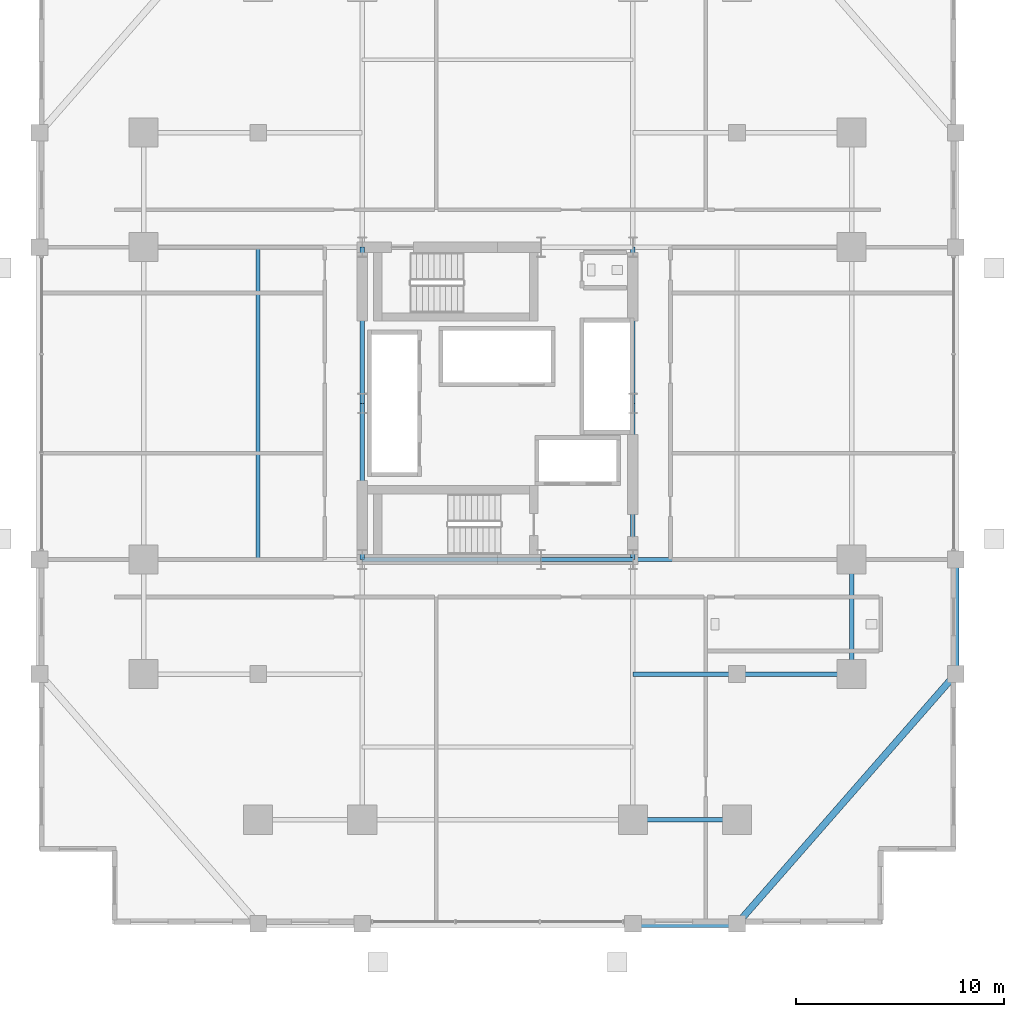
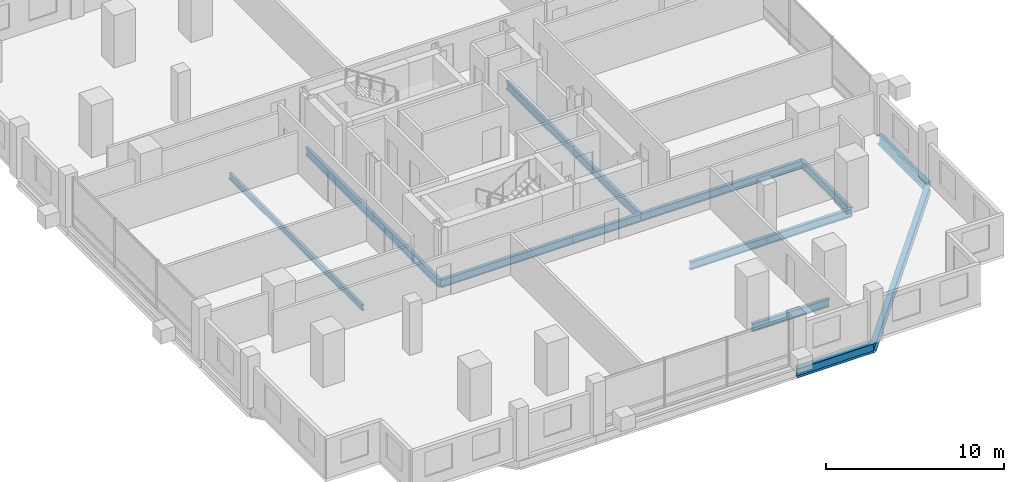
# One storey, part 7 of 21: 15 beams.
"""IFC4 building model written with IfcOpenShell, lengths in metres."""

from ifc_helpers import new_model, si_unit, direction, frame, origin, origin_2d, place, context, subcontext, project, spatial, i_section, extrude, material, material_profile, profile_set, type_object, element, save


model = new_model("IFC4")

# Units and contexts
model_context = context("Model", 3, precision=1e-05, world=origin(), true_north=direction((0.0, 1.0)))
body_context = subcontext(model_context, "Body", "Model", "MODEL_VIEW")
ifc_project = project(units=[si_unit("LENGTHUNIT", "METRE"), si_unit("AREAUNIT", "SQUARE_METRE"), si_unit("VOLUMEUNIT", "CUBIC_METRE"), si_unit("PLANEANGLEUNIT", "RADIAN"), si_unit("MASSUNIT", "GRAM", prefix="KILO")], contexts=[model_context])

# Site, building, storey
site_placement = place(None, origin())
site = spatial("IfcSite", under=ifc_project, at=site_placement, CompositionType="ELEMENT")
building_placement = place(site_placement, origin())
building = spatial("IfcBuilding", under=site, at=building_placement, Name="Barlavira Tower and Art Museum", CompositionType="ELEMENT")
storey_placement = place(building_placement, frame((0.0, 0.0, 86.39990234375)))
storey = spatial("IfcBuildingStorey", under=building, at=storey_placement, Name="L21", CompositionType="ELEMENT", Elevation=86.39990234375)

# Beams
ifc_material = material(Name="Steel S355", Category="steel")
ifc_material_profile_1 = material_profile(ifc_material, i_section(OverallWidth=0.327880859375, OverallDepth=0.62890625, WebThickness=0.013916015625, FlangeThickness=0.021484375, at=origin_2d()), Name="W610x174.0")
ifc_profile_set_1 = profile_set([ifc_material_profile_1], Name="Steel S355")
beam_type_1 = type_object("IfcBeamType", Name="Perimeter Spandrel Edge Beam W610x174 Steel S355", PredefinedType="SPANDREL", material=ifc_profile_set_1)
beam_1_placement = place(storey_placement, frame((6.5, -25.0, -0.534423828125), z_axis=(1.0, 0.0, 0.0), x_axis=(0.0, 1.0, 0.0)))
element("IfcBeam", 1, at=beam_1_placement, inside=storey, type_object=beam_type_1, Name="L21 Spandrel 3", PredefinedType="SPANDREL", context=body_context, shape_type="SweptSolid", body=[
    extrude(i_section(OverallWidth=0.327880859375, OverallDepth=0.62890625, WebThickness=0.013916015625, FlangeThickness=0.021484375, at=origin_2d()), origin(), (0.0, 0.0, 1.0), 5.0),
])
beam_2_placement = place(storey_placement, frame((11.5, -25.0, -0.534423828125), z_axis=(0.658504607869, 0.752576694707, 0.0), x_axis=(-0.752576694707, 0.658504607869, 0.0)))
element("IfcBeam", 2, at=beam_2_placement, inside=storey, type_object=beam_type_1, Name="L21 Spandrel 4", PredefinedType="SPANDREL", context=body_context, shape_type="SweptSolid", body=[
    extrude(i_section(OverallWidth=0.327880859375, OverallDepth=0.62890625, WebThickness=0.013916015625, FlangeThickness=0.021484375, at=origin_2d()), origin(), (0.0, 0.0, 1.0), 15.9453125),
])
beam_3_placement = place(storey_placement, frame((22.0, -13.0, -0.534423828125), z_axis=(0.0, 1.0, 0.0), x_axis=(-1.0, 0.0, 0.0)))
element("IfcBeam", 3, at=beam_3_placement, inside=storey, type_object=beam_type_1, Name="L21 Spandrel 5", PredefinedType="SPANDREL", context=body_context, shape_type="SweptSolid", body=[
    extrude(i_section(OverallWidth=0.327880859375, OverallDepth=0.62890625, WebThickness=0.013916015625, FlangeThickness=0.021484375, at=origin_2d()), origin(), (0.0, 0.0, 1.0), 5.5),
])
ifc_material_profile_2 = material_profile(ifc_material, i_section(OverallWidth=0.180908203125, OverallDepth=0.4169921875, WebThickness=0.010986328125, FlangeThickness=0.018310546875, at=origin_2d()), Name="W410x85.0")
ifc_profile_set_2 = profile_set([ifc_material_profile_2], Name="Steel S355")
beam_type_2 = type_object("IfcBeamType", Name="Zone 1 Composite Floor Joist W410x85 Steel S355", PredefinedType="JOIST", material=ifc_profile_set_2)
beam_4_placement = place(storey_placement, frame((-11.5, -7.5, -0.428466796875), z_axis=(0.0, 1.0, 0.0), x_axis=(-1.0, 0.0, 0.0)))
element("IfcBeam", 4, at=beam_4_placement, inside=storey, type_object=beam_type_2, Name="L21 Joist W1", PredefinedType="JOIST", context=body_context, shape_type="SweptSolid", body=[
    extrude(i_section(OverallWidth=0.180908203125, OverallDepth=0.4169921875, WebThickness=0.010986328125, FlangeThickness=0.018310546875, at=origin_2d()), origin(), (0.0, 0.0, 1.0), 15.0),
])
ifc_material_profile_3 = material_profile(ifc_material, i_section(OverallWidth=0.214111328125, OverallDepth=0.549072265625, WebThickness=0.0146484375, FlangeThickness=0.023681640625, at=origin_2d()), Name="W530x138.0")
ifc_profile_set_3 = profile_set([ifc_material_profile_3], Name="Steel S355")
beam_type_3 = type_object("IfcBeamType", Name="Zone 1 Primary Floor Girder W530x138 Steel S355", PredefinedType="BEAM", material=ifc_profile_set_3)
beam_5_placement = place(storey_placement, frame((-6.5, -7.5, -0.494384765625), z_axis=(1.0, 0.0, 0.0), x_axis=(0.0, 1.0, 0.0)))
element("IfcBeam", 5, at=beam_5_placement, inside=storey, type_object=beam_type_3, Name="L21 Girder C-S1", PredefinedType="BEAM", context=body_context, shape_type="SweptSolid", body=[
    extrude(i_section(OverallWidth=0.214111328125, OverallDepth=0.549072265625, WebThickness=0.0146484375, FlangeThickness=0.023681640625, at=origin_2d()), origin(), (0.0, 0.0, 1.0), 8.580078125),
])
beam_6_placement = place(storey_placement, frame((2.080078125, -7.5, -0.494384765625), z_axis=(1.0, 0.0, 0.0), x_axis=(0.0, 1.0, 0.0)))
element("IfcBeam", 6, at=beam_6_placement, inside=storey, type_object=beam_type_3, Name="L21 Girder C-S2", PredefinedType="BEAM", context=body_context, shape_type="SweptSolid", body=[
    extrude(i_section(OverallWidth=0.214111328125, OverallDepth=0.549072265625, WebThickness=0.0146484375, FlangeThickness=0.023681640625, at=origin_2d()), origin(), (0.0, 0.0, 1.0), 4.419921875),
])
for number, where, z_axis, x_axis, name in (
    (7, (-6.5, -7.5, -0.494384765625), (0.0, 1.0, 0.0), (-1.0, 0.0, 0.0), "L21 Girder C-W1"),
    (8, (-6.5, 0.0, -0.494384765625), (0.0, 1.0, 0.0), (-1.0, 0.0, 0.0), "L21 Girder C-W2"),
    (9, (6.5, -7.5, -0.494384765625), (0.0, 1.0, 0.0), (-1.0, 0.0, 0.0), "L21 Girder C-E1"),
    (10, (6.5, 0.0, -0.494384765625), (0.0, 1.0, 0.0), (-1.0, 0.0, 0.0), "L21 Girder C-E2"),
):
    element("IfcBeam", number, at=place(storey_placement, frame(where, z_axis=z_axis, x_axis=x_axis)), inside=storey, type_object=beam_type_3, Name=name, PredefinedType="BEAM", context=body_context, shape_type="SweptSolid", body=[
        extrude(i_section(OverallWidth=0.214111328125, OverallDepth=0.549072265625, WebThickness=0.0146484375, FlangeThickness=0.023681640625, at=origin_2d()), origin(), (0.0, 0.0, 1.0), 7.5),
    ])
beam_7_placement = place(storey_placement, frame((6.5, -20.0, -0.494384765625), z_axis=(1.0, 0.0, 0.0), x_axis=(0.0, 1.0, 0.0)))
element("IfcBeam", 11, at=beam_7_placement, inside=storey, type_object=beam_type_3, Name="L21 Girder M-S3", PredefinedType="BEAM", context=body_context, shape_type="SweptSolid", body=[
    extrude(i_section(OverallWidth=0.214111328125, OverallDepth=0.549072265625, WebThickness=0.0146484375, FlangeThickness=0.023681640625, at=origin_2d()), origin(), (0.0, 0.0, 1.0), 5.0),
])
beam_8_placement = place(storey_placement, frame((17.0, -13.0, -0.494384765625), z_axis=(0.0, 1.0, 0.0), x_axis=(-1.0, 0.0, 0.0)))
element("IfcBeam", 12, at=beam_8_placement, inside=storey, type_object=beam_type_3, Name="L21 Girder M-E1", PredefinedType="BEAM", context=body_context, shape_type="SweptSolid", body=[
    extrude(i_section(OverallWidth=0.214111328125, OverallDepth=0.549072265625, WebThickness=0.0146484375, FlangeThickness=0.023681640625, at=origin_2d()), origin(), (0.0, 0.0, 1.0), 5.5),
])
beam_9_placement = place(storey_placement, frame((6.5, -7.5, -0.494384765625), z_axis=(1.0, 0.0, 0.0), x_axis=(0.0, 1.0, 0.0)))
element("IfcBeam", 13, at=beam_9_placement, inside=storey, type_object=beam_type_3, Name="L21 Girder R-E1", PredefinedType="BEAM", context=body_context, shape_type="SweptSolid", body=[
    extrude(i_section(OverallWidth=0.214111328125, OverallDepth=0.549072265625, WebThickness=0.0146484375, FlangeThickness=0.023681640625, at=origin_2d()), origin(), (0.0, 0.0, 1.0), 10.5),
])
beam_10_placement = place(storey_placement, frame((6.5, -13.0, -0.494384765625), z_axis=(1.0, 0.0, 0.0), x_axis=(0.0, 1.0, 0.0)))
element("IfcBeam", 14, at=beam_10_placement, inside=storey, type_object=beam_type_3, Name="L21 Girder I-S3", PredefinedType="BEAM", context=body_context, shape_type="SweptSolid", body=[
    extrude(i_section(OverallWidth=0.214111328125, OverallDepth=0.549072265625, WebThickness=0.0146484375, FlangeThickness=0.023681640625, at=origin_2d()), origin(), (0.0, 0.0, 1.0), 5.0),
])
beam_11_placement = place(storey_placement, frame((11.5, -13.0, -0.494384765625), z_axis=(1.0, 0.0, 0.0), x_axis=(0.0, 1.0, 0.0)))
element("IfcBeam", 15, at=beam_11_placement, inside=storey, type_object=beam_type_3, Name="L21 Girder I-S4", PredefinedType="BEAM", context=body_context, shape_type="SweptSolid", body=[
    extrude(i_section(OverallWidth=0.214111328125, OverallDepth=0.549072265625, WebThickness=0.0146484375, FlangeThickness=0.023681640625, at=origin_2d()), origin(), (0.0, 0.0, 1.0), 5.5),
])

save(model, "model.ifc")
